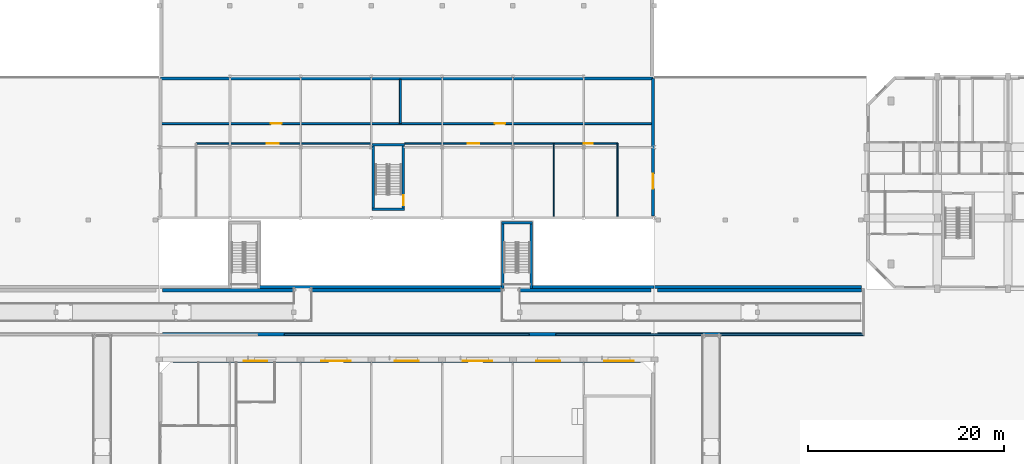
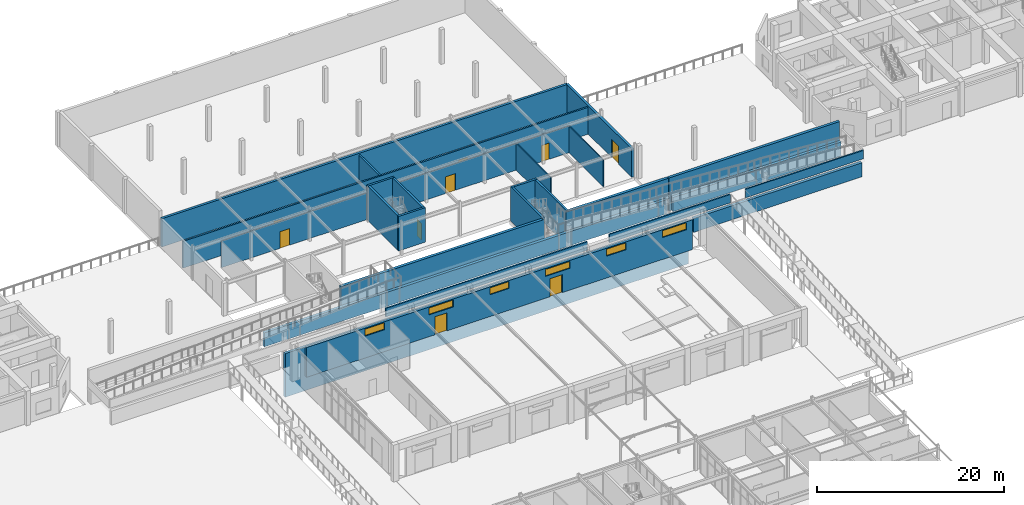
# One storey, part 63 of 85: 26 walls, 9 doors, 6 windows, 15 openings.
"""IFC4 building model written with IfcOpenShell, lengths in metres."""

from ifc_helpers import new_model, si_unit, direction, frame, frame_2d, origin, place, context, subcontext, project, spatial, rectangle, extrude, material, layer, layer_set, type_object, element, fill, save


model = new_model("IFC4")

# Units and contexts
model_context = context("Model", 3, precision=1e-05, world=origin(), true_north=direction((0.0, 1.0)))
body_context = subcontext(model_context, "Body", "Model", "MODEL_VIEW")
ifc_project = project(units=[si_unit("LENGTHUNIT", "METRE"), si_unit("AREAUNIT", "SQUARE_METRE"), si_unit("VOLUMEUNIT", "CUBIC_METRE"), si_unit("PLANEANGLEUNIT", "RADIAN"), si_unit("MASSUNIT", "GRAM", prefix="KILO")], contexts=[model_context])

# Site, building, storey
site_placement = place(None, origin())
site = spatial("IfcSite", under=ifc_project, at=site_placement, CompositionType="ELEMENT")
building_placement = place(site_placement, origin())
building = spatial("IfcBuilding", under=site, at=building_placement, Name="Ochrevale Crest", CompositionType="ELEMENT")
storey_placement = place(building_placement, origin())
storey = spatial("IfcBuildingStorey", under=building, at=storey_placement, Name="L00", CompositionType="ELEMENT", Elevation=0.0)

# Wall, opening, door
ifc_material_1 = material(Name="Gypsum plasterboard", Category="gypsum")
ifc_layer_1 = layer(ifc_material_1, 0.139892578125)
ifc_layer_set_1 = layer_set([ifc_layer_1], Name="Gypsum plasterboard")
wall_type_1 = type_object("IfcWallType", Name="WL-COR-140", PredefinedType="PARTITIONING", material=ifc_layer_set_1)
wall_1_placement = place(storey_placement, frame((61.35009765625, 86.800048828125, 0.0), z_axis=(0.0, 0.0, 1.0), x_axis=(1.0, 0.0, 0.0)))
wall_1 = element("IfcWall", 1, at=wall_1_placement, inside=storey, type_object=wall_type_1, Name="Music suite corridor wall", PredefinedType="PARTITIONING", context=body_context, shape_type="SweptSolid", body=[
    extrude(rectangle(XDim=17.89990234375, YDim=0.139892578125, at=frame_2d((8.949951171875, 0.0))), origin(), (0.0, 0.0, 1.0), 3.5),
])
opening_1_placement = place(wall_1_placement, frame((8.39990234375, 0.0, 0.0), z_axis=(0.0, 0.0, 1.0), x_axis=(-1.0, 0.0, 0.0)))
opening_1 = element("IfcOpeningElement", 2, at=opening_1_placement, cuts=wall_1, Name="Opening ID09", PredefinedType="OPENING", context=body_context, shape_type="SweptSolid", body=[
    extrude(rectangle(XDim=1.199951171875, YDim=2.179931640625, at=frame_2d((0.60009765625, 1.08984375))), frame((0.0, 0.080078125, 0.0), z_axis=(0.0, -1.0, 0.0), x_axis=(1.0, 0.0, 0.0)), (0.0, 0.0, 1.0), 0.159912109375),
])
ifc_material_2 = material(Name="Solid-core FSC hardwood", Category="wood")
door_type_1 = type_object("IfcDoorType", Name="DR-INT-1200", OperationType="NOTDEFINED", PredefinedType="DOOR", material=ifc_material_2)
door_1_placement = place(opening_1_placement, origin())
door_1 = element("IfcDoor", 3, at=door_1_placement, inside=storey, type_object=door_type_1, Name="Music Practice Suite door", OperationType="SINGLE_SWING_RIGHT", OverallHeight=2.179931640625, OverallWidth=1.199951171875, PredefinedType="DOOR", context=body_context, shape_type="SweptSolid", body=[
    extrude(rectangle(XDim=1.199951171875, YDim=2.179931640625, at=frame_2d((0.60009765625, 1.08984375))), frame((0.0, 0.02490234375, 0.0), z_axis=(0.0, -1.0, 0.0), x_axis=(1.0, 0.0, 0.0)), (0.0, 0.0, 1.0), 0.050048828125),
])
fill(opening_1, door_1)

# Wall, openings, doors
wall_2_placement = place(storey_placement, frame((82.60009765625, 86.800048828125, 0.0), z_axis=(0.0, 0.0, 1.0), x_axis=(1.0, 0.0, 0.0)))
wall_2 = element("IfcWall", 4, at=wall_2_placement, inside=storey, type_object=wall_type_1, Name="Toy library corridor wall", PredefinedType="PARTITIONING", context=body_context, shape_type="SweptSolid", body=[
    extrude(rectangle(XDim=21.64990234375, YDim=0.139892578125, at=frame_2d((10.824951171875, 0.0))), origin(), (0.0, 0.0, 1.0), 3.5),
])
opening_2_placement = place(wall_2_placement, frame((6.39990234375, 0.0, 0.0)))
opening_2 = element("IfcOpeningElement", 5, at=opening_2_placement, cuts=wall_2, Name="Opening ID09", PredefinedType="OPENING", context=body_context, shape_type="SweptSolid", body=[
    extrude(rectangle(XDim=1.199951171875, YDim=2.179931640625, at=frame_2d((0.60009765625, 1.08984375))), frame((0.0, 0.080078125, 0.0), z_axis=(0.0, -1.0, 0.0), x_axis=(1.0, 0.0, 0.0)), (0.0, 0.0, 1.0), 0.159912109375),
])
opening_3_placement = place(wall_2_placement, frame((19.14990234375, 0.0, 0.0), z_axis=(0.0, 0.0, 1.0), x_axis=(-1.0, 0.0, 0.0)))
opening_3 = element("IfcOpeningElement", 6, at=opening_3_placement, cuts=wall_2, Name="Opening ID05", PredefinedType="OPENING", context=body_context, shape_type="SweptSolid", body=[
    extrude(rectangle(XDim=0.949951171875, YDim=2.1201171875, at=frame_2d((0.47509765625, 1.06005859375))), frame((0.0, 0.080078125, 0.0), z_axis=(0.0, -1.0, 0.0), x_axis=(1.0, 0.0, 0.0)), (0.0, 0.0, 1.0), 0.159912109375),
])
door_2_placement = place(opening_2_placement, origin())
door_2 = element("IfcDoor", 7, at=door_2_placement, inside=storey, type_object=door_type_1, Name="Toy Library door", OperationType="SINGLE_SWING_LEFT", OverallHeight=2.179931640625, OverallWidth=1.199951171875, PredefinedType="DOOR", context=body_context, shape_type="SweptSolid", body=[
    extrude(rectangle(XDim=1.199951171875, YDim=2.179931640625, at=frame_2d((0.60009765625, 1.08984375))), frame((0.0, 0.02490234375, 0.0), z_axis=(0.0, -1.0, 0.0), x_axis=(1.0, 0.0, 0.0)), (0.0, 0.0, 1.0), 0.050048828125),
])
fill(opening_2, door_2)
door_type_2 = type_object("IfcDoorType", Name="DR-WC-950", OperationType="NOTDEFINED", PredefinedType="DOOR", material=ifc_material_2)
door_3_placement = place(opening_3_placement, origin())
door_3 = element("IfcDoor", 8, at=door_3_placement, inside=storey, type_object=door_type_2, Name="Lower Studios Accessible WC door", OperationType="SINGLE_SWING_RIGHT", OverallHeight=2.1201171875, OverallWidth=0.949951171875, PredefinedType="DOOR", context=body_context, shape_type="SweptSolid", body=[
    extrude(rectangle(XDim=0.949951171875, YDim=2.1201171875, at=frame_2d((0.47509765625, 1.06005859375))), frame((0.0, 0.02490234375, 0.0), z_axis=(0.0, -1.0, 0.0), x_axis=(1.0, 0.0, 0.0)), (0.0, 0.0, 1.0), 0.050048828125),
])
fill(opening_3, door_3)

# Walls
ifc_material_3 = material(Name="Precast concrete C50/60", Category="concrete")
ifc_layer_2 = layer(ifc_material_3, 0.2548828125)
ifc_layer_set_2 = layer_set([ifc_layer_2], Name="Precast concrete C50/60")
wall_type_2 = type_object("IfcWallType", Name="WL-CORE-255", PredefinedType="SHEAR", material=ifc_layer_set_2)
wall_3_placement = place(storey_placement, frame((92.445068359375, 78.7275390625, 0.0), z_axis=(0.0, 0.0, 1.0), x_axis=(1.0, 0.0, 0.0)))
element("IfcWall", 9, at=wall_3_placement, inside=storey, type_object=wall_type_2, Name="ST-CE1 courtyard stair cheek wall N", PredefinedType="SHEAR", context=body_context, shape_type="SweptSolid", body=[
    extrude(rectangle(XDim=3.159912109375, YDim=0.2548828125, at=frame_2d((1.580078125, 0.0))), origin(), (0.0, 0.0, 1.0), 4.5),
])
for number, where, z_axis, x_axis, name in (
    (10, (92.572509765625, 72.0, 0.0), (0.0, 0.0, 1.0), (0.0, 1.0, 0.0), "ST-CE1 courtyard stair cheek wall W"),
    (11, (95.4775390625, 72.0, 0.0), (0.0, 0.0, 1.0), (0.0, 1.0, 0.0), "ST-CE1 courtyard stair cheek wall E"),
):
    element("IfcWall", number, at=place(storey_placement, frame(where, z_axis=z_axis, x_axis=x_axis)), inside=storey, type_object=wall_type_2, Name=name, PredefinedType="SHEAR", context=body_context, shape_type="SweptSolid", body=[
        extrude(rectangle(XDim=6.85498046875, YDim=0.2548828125, at=frame_2d((3.427490234375, 0.0))), origin(), (0.0, 0.0, 1.0), 4.5),
    ])
for number, where, z_axis, x_axis, name in (
    (12, (79.2724609375, 80.10009765625, 0.0), (0.0, 0.0, 1.0), (1.0, 0.0, 0.0), "Nursery stair core wall L00-S"),
    (13, (79.2724609375, 86.64990234375, 0.0), (0.0, 0.0, 1.0), (1.0, 0.0, 0.0), "Nursery stair core wall L00-N"),
):
    element("IfcWall", number, at=place(storey_placement, frame(where, z_axis=z_axis, x_axis=x_axis)), inside=storey, type_object=wall_type_2, Name=name, PredefinedType="SHEAR", context=body_context, shape_type="SweptSolid", body=[
        extrude(rectangle(XDim=3.304931640625, YDim=0.2548828125, at=frame_2d((1.65234375, 0.0))), origin(), (0.0, 0.0, 1.0), 4.5),
    ])
wall_4_placement = place(storey_placement, frame((79.39990234375, 80.2275390625, 0.0), z_axis=(0.0, 0.0, 1.0), x_axis=(0.0, 1.0, 0.0)))
element("IfcWall", 14, at=wall_4_placement, inside=storey, type_object=wall_type_2, Name="Nursery stair core wall L00-W", PredefinedType="SHEAR", context=body_context, shape_type="SweptSolid", body=[
    extrude(rectangle(XDim=6.294921875, YDim=0.2548828125, at=frame_2d((3.1474609375, 0.0))), origin(), (0.0, 0.0, 1.0), 4.5),
])

# Wall, opening, door
wall_5_placement = place(storey_placement, frame((82.449951171875, 80.2275390625, 0.0), z_axis=(0.0, 0.0, 1.0), x_axis=(0.0, 1.0, 0.0)))
wall_5 = element("IfcWall", 15, at=wall_5_placement, inside=storey, type_object=wall_type_2, Name="Nursery stair core wall L00-E", PredefinedType="SHEAR", context=body_context, shape_type="SweptSolid", body=[
    extrude(rectangle(XDim=6.294921875, YDim=0.2548828125, at=frame_2d((3.1474609375, 0.0))), origin(), (0.0, 0.0, 1.0), 4.5),
])
opening_4_placement = place(wall_5_placement, frame((1.300048828125, 0.0, 0.0), z_axis=(0.0, 0.0, 1.0), x_axis=(-1.0, 0.0, 0.0)))
opening_4 = element("IfcOpeningElement", 16, at=opening_4_placement, cuts=wall_5, Name="Opening FD03", PredefinedType="OPENING", context=body_context, shape_type="SweptSolid", body=[
    extrude(rectangle(XDim=1.050048828125, YDim=2.1201171875, at=frame_2d((0.52490234375, 1.06005859375))), frame((0.0, 0.137451171875, 0.0), z_axis=(0.0, -1.0, 0.0), x_axis=(1.0, 0.0, 0.0)), (0.0, 0.0, 1.0), 0.27490234375),
])
door_type_3 = type_object("IfcDoorType", Name="DR-ST-1050", OperationType="NOTDEFINED", PredefinedType="DOOR", material=ifc_material_2)
door_4_placement = place(opening_4_placement, origin())
door_4 = element("IfcDoor", 17, at=door_4_placement, inside=storey, type_object=door_type_3, Name="Nursery stair ST-N1 L00 door", OperationType="SINGLE_SWING_RIGHT", OverallHeight=2.1201171875, OverallWidth=1.050048828125, PredefinedType="DOOR", context=body_context, shape_type="SweptSolid", body=[
    extrude(rectangle(XDim=1.050048828125, YDim=2.1201171875, at=frame_2d((0.52490234375, 1.06005859375))), frame((0.0, 0.02490234375, 0.0), z_axis=(0.0, -1.0, 0.0), x_axis=(1.0, 0.0, 0.0)), (0.0, 0.0, 1.0), 0.050048828125),
])
fill(opening_4, door_4)

# Wall, openings, doors, windows
ifc_material_4 = material(Name="Clay face brickwork", Category="masonry")
ifc_layer_3 = layer(ifc_material_4, 0.2900390625)
ifc_layer_set_3 = layer_set([ifc_layer_3], Name="Clay face brickwork")
wall_type_3 = type_object("IfcWallType", Name="WL-EXT-BRICK-290", PredefinedType="SOLIDWALL", material=ifc_layer_set_3)
wall_6_placement = place(storey_placement, frame((59.0, 64.64990234375, 0.0), z_axis=(0.0, 0.0, 1.0), x_axis=(1.0, 0.0, 0.0)))
wall_6 = element("IfcWall", 18, at=wall_6_placement, inside=storey, type_object=wall_type_3, Name="Community Hall north ochre brick colonnade wall", PredefinedType="SOLIDWALL", context=body_context, shape_type="SweptSolid", body=[
    extrude(rectangle(XDim=47.60009765625, YDim=0.2900390625, at=frame_2d((23.800048828125, 0.0))), origin(), (0.0, 0.0, 1.0), 3.8798828125),
])
opening_5_placement = place(wall_6_placement, frame((15.85009765625, 0.0, 0.0)))
opening_5 = element("IfcOpeningElement", 19, at=opening_5_placement, cuts=wall_6, Name="Opening ED04", PredefinedType="OPENING", context=body_context, shape_type="SweptSolid", body=[
    extrude(rectangle(XDim=1.5, YDim=2.35009765625, at=frame_2d((0.75, 1.175048828125))), frame((0.0, 0.155029296875, 0.0), z_axis=(0.0, -1.0, 0.0), x_axis=(1.0, 0.0, 0.0)), (0.0, 0.0, 1.0), 0.31005859375),
])
opening_6_placement = place(wall_6_placement, frame((30.050048828125, 0.0, 0.0)))
opening_6 = element("IfcOpeningElement", 20, at=opening_6_placement, cuts=wall_6, Name="Opening ED04", PredefinedType="OPENING", context=body_context, shape_type="SweptSolid", body=[
    extrude(rectangle(XDim=1.5, YDim=2.35009765625, at=frame_2d((0.75, 1.175048828125))), frame((0.0, 0.155029296875, 0.0), z_axis=(0.0, -1.0, 0.0), x_axis=(1.0, 0.0, 0.0)), (0.0, 0.0, 1.0), 0.31005859375),
])
opening_7_placement = place(wall_6_placement, frame((7.2099609375, 0.0, 2.85009765625)))
opening_7 = element("IfcOpeningElement", 21, at=opening_7_placement, cuts=wall_6, Name="Opening W28", PredefinedType="OPENING", context=body_context, shape_type="SweptSolid", body=[
    extrude(rectangle(XDim=2.39990234375, YDim=0.89990234375, at=frame_2d((1.199951171875, 0.449951171875))), frame((0.0, 0.155029296875, 0.0), z_axis=(0.0, -1.0, 0.0), x_axis=(1.0, 0.0, 0.0)), (0.0, 0.0, 1.0), 0.31005859375),
])
opening_8_placement = place(wall_6_placement, frame((15.10009765625, 0.0, 2.85009765625)))
opening_8 = element("IfcOpeningElement", 22, at=opening_8_placement, cuts=wall_6, Name="Opening W29", PredefinedType="OPENING", context=body_context, shape_type="SweptSolid", body=[
    extrude(rectangle(XDim=3.0, YDim=0.89990234375, at=frame_2d((1.5, 0.449951171875))), frame((0.0, 0.155029296875, 0.0), z_axis=(0.0, -1.0, 0.0), x_axis=(1.0, 0.0, 0.0)), (0.0, 0.0, 1.0), 0.31005859375),
])
opening_9_placement = place(wall_6_placement, frame((22.60009765625, 0.0, 2.85009765625)))
opening_9 = element("IfcOpeningElement", 23, at=opening_9_placement, cuts=wall_6, Name="Opening W28", PredefinedType="OPENING", context=body_context, shape_type="SweptSolid", body=[
    extrude(rectangle(XDim=2.39990234375, YDim=0.89990234375, at=frame_2d((1.199951171875, 0.449951171875))), frame((0.0, 0.155029296875, 0.0), z_axis=(0.0, -1.0, 0.0), x_axis=(1.0, 0.0, 0.0)), (0.0, 0.0, 1.0), 0.31005859375),
])
opening_10_placement = place(wall_6_placement, frame((29.5, 0.0, 2.85009765625)))
opening_10 = element("IfcOpeningElement", 24, at=opening_10_placement, cuts=wall_6, Name="Opening W29", PredefinedType="OPENING", context=body_context, shape_type="SweptSolid", body=[
    extrude(rectangle(XDim=3.0, YDim=0.89990234375, at=frame_2d((1.5, 0.449951171875))), frame((0.0, 0.155029296875, 0.0), z_axis=(0.0, -1.0, 0.0), x_axis=(1.0, 0.0, 0.0)), (0.0, 0.0, 1.0), 0.31005859375),
])
opening_11_placement = place(wall_6_placement, frame((37.0, 0.0, 2.85009765625)))
opening_11 = element("IfcOpeningElement", 25, at=opening_11_placement, cuts=wall_6, Name="Opening W28", PredefinedType="OPENING", context=body_context, shape_type="SweptSolid", body=[
    extrude(rectangle(XDim=2.39990234375, YDim=0.89990234375, at=frame_2d((1.199951171875, 0.449951171875))), frame((0.0, 0.155029296875, 0.0), z_axis=(0.0, -1.0, 0.0), x_axis=(1.0, 0.0, 0.0)), (0.0, 0.0, 1.0), 0.31005859375),
])
opening_12_placement = place(wall_6_placement, frame((43.89990234375, 0.0, 2.85009765625)))
opening_12 = element("IfcOpeningElement", 26, at=opening_12_placement, cuts=wall_6, Name="Opening W29", PredefinedType="OPENING", context=body_context, shape_type="SweptSolid", body=[
    extrude(rectangle(XDim=3.0, YDim=0.89990234375, at=frame_2d((1.5, 0.449951171875))), frame((0.0, 0.155029296875, 0.0), z_axis=(0.0, -1.0, 0.0), x_axis=(1.0, 0.0, 0.0)), (0.0, 0.0, 1.0), 0.31005859375),
])
ifc_material_5 = material(Name="Anodised aluminium 6063-T5 and toughened glass", Category="aluminium")
door_type_4 = type_object("IfcDoorType", Name="DR-EXT-1500", OperationType="NOTDEFINED", PredefinedType="DOOR", material=ifc_material_5)
door_5_placement = place(opening_5_placement, origin())
door_5 = element("IfcDoor", 27, at=door_5_placement, inside=storey, type_object=door_type_4, Name="Community Hall north courtyard exit door 1", OperationType="DOUBLE_DOOR_SINGLE_SWING", OverallHeight=2.35009765625, OverallWidth=1.5, PredefinedType="DOOR", context=body_context, shape_type="SweptSolid", body=[
    extrude(rectangle(XDim=1.5, YDim=2.35009765625, at=frame_2d((0.75, 1.175048828125))), frame((0.0, 0.02490234375, 0.0), z_axis=(0.0, -1.0, 0.0), x_axis=(1.0, 0.0, 0.0)), (0.0, 0.0, 1.0), 0.050048828125),
])
fill(opening_5, door_5)
door_6_placement = place(opening_6_placement, origin())
door_6 = element("IfcDoor", 28, at=door_6_placement, inside=storey, type_object=door_type_4, Name="Community Hall north courtyard exit door 2", OperationType="DOUBLE_DOOR_SINGLE_SWING", OverallHeight=2.35009765625, OverallWidth=1.5, PredefinedType="DOOR", context=body_context, shape_type="SweptSolid", body=[
    extrude(rectangle(XDim=1.5, YDim=2.35009765625, at=frame_2d((0.75, 1.175048828125))), frame((0.0, 0.02490234375, 0.0), z_axis=(0.0, -1.0, 0.0), x_axis=(1.0, 0.0, 0.0)), (0.0, 0.0, 1.0), 0.050048828125),
])
fill(opening_6, door_6)
ifc_material_6 = material(Name="Anodised aluminium 6063-T5 and low-E double glazing", Category="aluminium")
window_type_1 = type_object("IfcWindowType", Name="WIN-W28", PartitioningType="SINGLE_PANEL", PredefinedType="WINDOW", material=ifc_material_6)
window_1_placement = place(opening_7_placement, origin())
window_1 = element("IfcWindow", 29, at=window_1_placement, inside=storey, type_object=window_type_1, Name="Community Hall N springing clerestory window 2", OverallHeight=0.89990234375, OverallWidth=2.39990234375, PartitioningType="SINGLE_PANEL", PredefinedType="WINDOW", context=body_context, shape_type="SweptSolid", body=[
    extrude(rectangle(XDim=2.39990234375, YDim=0.89990234375, at=frame_2d((1.199951171875, 0.449951171875))), frame((0.0, 0.030029296875, 0.0), z_axis=(0.0, -1.0, 0.0), x_axis=(1.0, 0.0, 0.0)), (0.0, 0.0, 1.0), 0.06005859375),
])
fill(opening_7, window_1)
window_2_placement = place(opening_9_placement, origin())
window_2 = element("IfcWindow", 30, at=window_2_placement, inside=storey, type_object=window_type_1, Name="Community Hall N springing clerestory window 4", OverallHeight=0.89990234375, OverallWidth=2.39990234375, PartitioningType="SINGLE_PANEL", PredefinedType="WINDOW", context=body_context, shape_type="SweptSolid", body=[
    extrude(rectangle(XDim=2.39990234375, YDim=0.89990234375, at=frame_2d((1.199951171875, 0.449951171875))), frame((0.0, 0.030029296875, 0.0), z_axis=(0.0, -1.0, 0.0), x_axis=(1.0, 0.0, 0.0)), (0.0, 0.0, 1.0), 0.06005859375),
])
fill(opening_9, window_2)
window_3_placement = place(opening_11_placement, origin())
window_3 = element("IfcWindow", 31, at=window_3_placement, inside=storey, type_object=window_type_1, Name="Community Hall N springing clerestory window 6", OverallHeight=0.89990234375, OverallWidth=2.39990234375, PartitioningType="SINGLE_PANEL", PredefinedType="WINDOW", context=body_context, shape_type="SweptSolid", body=[
    extrude(rectangle(XDim=2.39990234375, YDim=0.89990234375, at=frame_2d((1.199951171875, 0.449951171875))), frame((0.0, 0.030029296875, 0.0), z_axis=(0.0, -1.0, 0.0), x_axis=(1.0, 0.0, 0.0)), (0.0, 0.0, 1.0), 0.06005859375),
])
fill(opening_11, window_3)
window_type_2 = type_object("IfcWindowType", Name="WIN-W29", PartitioningType="SINGLE_PANEL", PredefinedType="WINDOW", material=ifc_material_6)
window_4_placement = place(opening_8_placement, origin())
window_4 = element("IfcWindow", 32, at=window_4_placement, inside=storey, type_object=window_type_2, Name="Community Hall N springing clerestory window 3", OverallHeight=0.89990234375, OverallWidth=3.0, PartitioningType="SINGLE_PANEL", PredefinedType="WINDOW", context=body_context, shape_type="SweptSolid", body=[
    extrude(rectangle(XDim=3.0, YDim=0.89990234375, at=frame_2d((1.5, 0.449951171875))), frame((0.0, 0.030029296875, 0.0), z_axis=(0.0, -1.0, 0.0), x_axis=(1.0, 0.0, 0.0)), (0.0, 0.0, 1.0), 0.06005859375),
])
fill(opening_8, window_4)
window_5_placement = place(opening_10_placement, origin())
window_5 = element("IfcWindow", 33, at=window_5_placement, inside=storey, type_object=window_type_2, Name="Community Hall N springing clerestory window 5", OverallHeight=0.89990234375, OverallWidth=3.0, PartitioningType="SINGLE_PANEL", PredefinedType="WINDOW", context=body_context, shape_type="SweptSolid", body=[
    extrude(rectangle(XDim=3.0, YDim=0.89990234375, at=frame_2d((1.5, 0.449951171875))), frame((0.0, 0.030029296875, 0.0), z_axis=(0.0, -1.0, 0.0), x_axis=(1.0, 0.0, 0.0)), (0.0, 0.0, 1.0), 0.06005859375),
])
fill(opening_10, window_5)
window_6_placement = place(opening_12_placement, origin())
window_6 = element("IfcWindow", 34, at=window_6_placement, inside=storey, type_object=window_type_2, Name="Community Hall N springing clerestory window 7", OverallHeight=0.89990234375, OverallWidth=3.0, PartitioningType="SINGLE_PANEL", PredefinedType="WINDOW", context=body_context, shape_type="SweptSolid", body=[
    extrude(rectangle(XDim=3.0, YDim=0.89990234375, at=frame_2d((1.5, 0.449951171875))), frame((0.0, 0.030029296875, 0.0), z_axis=(0.0, -1.0, 0.0), x_axis=(1.0, 0.0, 0.0)), (0.0, 0.0, 1.0), 0.06005859375),
])
fill(opening_12, window_6)

# Wall
wall_7_placement = place(storey_placement, frame((57.75, 93.39990234375, 0.0), z_axis=(0.0, 0.0, 1.0), x_axis=(1.0, 0.0, 0.0)))
element("IfcWall", 35, at=wall_7_placement, inside=storey, type_object=wall_type_3, Name="Nursery undercroft north brick wall", PredefinedType="SOLIDWALL", context=body_context, shape_type="SweptSolid", body=[
    extrude(rectangle(XDim=50.10009765625, YDim=0.2900390625, at=frame_2d((25.050048828125, 0.0))), origin(), (0.0, 0.0, 1.0), 3.701171875),
])

# Wall, opening, door
wall_8_placement = place(storey_placement, frame((107.85009765625, 79.39990234375, 0.0), z_axis=(0.0, 0.0, 1.0), x_axis=(0.0, 1.0, 0.0)))
wall_8 = element("IfcWall", 36, at=wall_8_placement, inside=storey, type_object=wall_type_3, Name="Nursery undercroft E brick wall", PredefinedType="SOLIDWALL", context=body_context, shape_type="SweptSolid", body=[
    extrude(rectangle(XDim=14.0, YDim=0.2900390625, at=frame_2d((7.0, 0.0))), origin(), (0.0, 0.0, 1.0), 3.701171875),
])
opening_13_placement = place(wall_8_placement, frame((4.300048828125, 0.0, 0.0), z_axis=(0.0, 0.0, 1.0), x_axis=(-1.0, 0.0, 0.0)))
opening_13 = element("IfcOpeningElement", 37, at=opening_13_placement, cuts=wall_8, Name="Opening ED04", PredefinedType="OPENING", context=body_context, shape_type="SweptSolid", body=[
    extrude(rectangle(XDim=1.5, YDim=2.35009765625, at=frame_2d((0.75, 1.175048828125))), frame((0.0, 0.155029296875, 0.0), z_axis=(0.0, -1.0, 0.0), x_axis=(1.0, 0.0, 0.0)), (0.0, 0.0, 1.0), 0.31005859375),
])
door_7_placement = place(opening_13_placement, origin())
door_7 = element("IfcDoor", 38, at=door_7_placement, inside=storey, type_object=door_type_4, Name="Lower courtyard studios E exit door", OperationType="DOUBLE_DOOR_SINGLE_SWING", OverallHeight=2.35009765625, OverallWidth=1.5, PredefinedType="DOOR", context=body_context, shape_type="SweptSolid", body=[
    extrude(rectangle(XDim=1.5, YDim=2.35009765625, at=frame_2d((0.75, 1.175048828125))), frame((0.0, 0.02490234375, 0.0), z_axis=(0.0, -1.0, 0.0), x_axis=(1.0, 0.0, 0.0)), (0.0, 0.0, 1.0), 0.050048828125),
])
fill(opening_13, door_7)

# Walls
ifc_layer_4 = layer(ifc_material_4, 0.179931640625)
ifc_layer_set_4 = layer_set([ifc_layer_4], Name="Clay face brickwork")
wall_type_4 = type_object("IfcWallType", Name="WL-PARAPET-180", PredefinedType="PARAPET", material=ifc_layer_set_4)
wall_9_placement = place(storey_placement, frame((70.35009765625, 67.320068359375, 2.25), z_axis=(0.0, 0.0, 1.0), x_axis=(1.0, 0.0, 0.0)))
element("IfcWall", 39, at=wall_9_placement, inside=storey, type_object=wall_type_4, Name="Hillside Step 2 amphitheatre parapet 3", PredefinedType="PARAPET", context=body_context, shape_type="SweptSolid", body=[
    extrude(rectangle(XDim=24.89990234375, YDim=0.179931640625, at=frame_2d((12.449951171875, 0.0))), origin(), (0.0, 0.0, 1.0), 1.10009765625),
])
wall_10_placement = place(storey_placement, frame((97.949951171875, 67.320068359375, 2.25), z_axis=(0.0, 0.0, 1.0), x_axis=(1.0, 0.0, 0.0)))
element("IfcWall", 40, at=wall_10_placement, inside=storey, type_object=wall_type_4, Name="Hillside Step 2 amphitheatre parapet 4", PredefinedType="PARAPET", context=body_context, shape_type="SweptSolid", body=[
    extrude(rectangle(XDim=14.900146484375, YDim=0.179931640625, at=frame_2d((7.4501953125, 0.0))), origin(), (0.0, 0.0, 1.0), 1.10009765625),
])
wall_11_placement = place(storey_placement, frame((114.75, 67.320068359375, 2.25), z_axis=(0.0, 0.0, 1.0), x_axis=(1.0, 0.0, 0.0)))
element("IfcWall", 41, at=wall_11_placement, inside=storey, type_object=wall_type_4, Name="Hillside Step 2 amphitheatre parapet 5", PredefinedType="PARAPET", context=body_context, shape_type="SweptSolid", body=[
    extrude(rectangle(XDim=14.530029296875, YDim=0.179931640625, at=frame_2d((7.26513671875, 0.0))), origin(), (0.0, 0.0, 1.0), 1.10009765625),
])
ifc_layer_5 = layer(ifc_material_1, 0.1201171875)
ifc_layer_set_5 = layer_set([ifc_layer_5], Name="Gypsum plasterboard")
wall_type_5 = type_object("IfcWallType", Name="WL-PART-120", PredefinedType="PARTITIONING", material=ifc_layer_set_5)
for number, where, z_axis, x_axis, name in (
    (42, (97.75, 79.39990234375, 0.0), (0.0, 0.0, 1.0), (0.0, 1.0, 0.0), "Lower studio divider"),
    (43, (104.25, 79.39990234375, 0.0), (0.0, 0.0, 1.0), (0.0, 1.0, 0.0), "Lower studio divider"),
):
    element("IfcWall", number, at=place(storey_placement, frame(where, z_axis=z_axis, x_axis=x_axis)), inside=storey, type_object=wall_type_5, Name=name, PredefinedType="PARTITIONING", context=body_context, shape_type="SweptSolid", body=[
        extrude(rectangle(XDim=7.400146484375, YDim=0.1201171875, at=frame_2d((3.7001953125, 0.0))), origin(), (0.0, 0.0, 1.0), 3.5),
    ])

# Wall, openings, doors
ifc_material_7 = material(Name="Core-filled masonry blockwork", Category="masonry")
ifc_layer_6 = layer(ifc_material_7, 0.195068359375)
ifc_layer_set_6 = layer_set([ifc_layer_6], Name="Core-filled masonry blockwork")
wall_type_6 = type_object("IfcWallType", Name="WL-PLNT-195", PredefinedType="PARTITIONING", material=ifc_layer_set_6)
wall_12_placement = place(storey_placement, frame((57.739990234375, 88.800048828125, 0.0), z_axis=(0.0, 0.0, 1.0), x_axis=(1.0, 0.0, 0.0)))
wall_12 = element("IfcWall", 44, at=wall_12_placement, inside=storey, type_object=wall_type_6, Name="Undercroft plant wall", PredefinedType="PARTITIONING", context=body_context, shape_type="SweptSolid", body=[
    extrude(rectangle(XDim=50.1201171875, YDim=0.195068359375, at=frame_2d((25.06005859375, 0.0))), origin(), (0.0, 0.0, 1.0), 3.5),
])
opening_14_placement = place(wall_12_placement, frame((11.199951171875, 0.0, 0.0)))
opening_14 = element("IfcOpeningElement", 45, at=opening_14_placement, cuts=wall_12, Name="Opening FD04", PredefinedType="OPENING", context=body_context, shape_type="SweptSolid", body=[
    extrude(rectangle(XDim=1.1201171875, YDim=2.14990234375, at=frame_2d((0.56005859375, 1.074951171875))), frame((0.0, 0.107421875, 0.0), z_axis=(0.0, -1.0, 0.0), x_axis=(1.0, 0.0, 0.0)), (0.0, 0.0, 1.0), 0.215087890625),
])
opening_15_placement = place(wall_12_placement, frame((35.10009765625, 0.0, 0.0), z_axis=(0.0, 0.0, 1.0), x_axis=(-1.0, 0.0, 0.0)))
opening_15 = element("IfcOpeningElement", 46, at=opening_15_placement, cuts=wall_12, Name="Opening ID08", PredefinedType="OPENING", context=body_context, shape_type="SweptSolid", body=[
    extrude(rectangle(XDim=1.10009765625, YDim=2.14990234375, at=frame_2d((0.550048828125, 1.074951171875))), frame((0.0, 0.107421875, 0.0), z_axis=(0.0, -1.0, 0.0), x_axis=(1.0, 0.0, 0.0)), (0.0, 0.0, 1.0), 0.215087890625),
])
door_type_5 = type_object("IfcDoorType", Name="DR-FD-1100", OperationType="NOTDEFINED", PredefinedType="DOOR", material=ifc_material_2)
door_8_placement = place(opening_14_placement, origin())
door_8 = element("IfcDoor", 47, at=door_8_placement, inside=storey, type_object=door_type_5, Name="Filtration plant door", OperationType="SINGLE_SWING_LEFT", OverallHeight=2.14990234375, OverallWidth=1.1201171875, PredefinedType="DOOR", context=body_context, shape_type="SweptSolid", body=[
    extrude(rectangle(XDim=1.1201171875, YDim=2.14990234375, at=frame_2d((0.56005859375, 1.074951171875))), frame((0.0, 0.02490234375, 0.0), z_axis=(0.0, -1.0, 0.0), x_axis=(1.0, 0.0, 0.0)), (0.0, 0.0, 1.0), 0.050048828125),
])
fill(opening_14, door_8)
door_type_6 = type_object("IfcDoorType", Name="DR-INT-1100", OperationType="NOTDEFINED", PredefinedType="DOOR", material=ifc_material_2)
door_9_placement = place(opening_15_placement, origin())
door_9 = element("IfcDoor", 48, at=door_9_placement, inside=storey, type_object=door_type_6, Name="Landscape store door", OperationType="SINGLE_SWING_RIGHT", OverallHeight=2.14990234375, OverallWidth=1.10009765625, PredefinedType="DOOR", context=body_context, shape_type="SweptSolid", body=[
    extrude(rectangle(XDim=1.10009765625, YDim=2.14990234375, at=frame_2d((0.550048828125, 1.074951171875))), frame((0.0, 0.02490234375, 0.0), z_axis=(0.0, -1.0, 0.0), x_axis=(1.0, 0.0, 0.0)), (0.0, 0.0, 1.0), 0.050048828125),
])
fill(opening_15, door_9)

# Walls
wall_13_placement = place(storey_placement, frame((82.14990234375, 88.800048828125, 0.0), z_axis=(0.0, 0.0, 1.0), x_axis=(0.0, 1.0, 0.0)))
element("IfcWall", 49, at=wall_13_placement, inside=storey, type_object=wall_type_6, Name="Undercroft plant divider", PredefinedType="PARTITIONING", context=body_context, shape_type="SweptSolid", body=[
    extrude(rectangle(XDim=4.5, YDim=0.195068359375, at=frame_2d((2.25, 0.0))), origin(), (0.0, 0.0, 1.0), 3.5),
])
ifc_material_8 = material(Name="Concrete C40/50", Category="concrete")
ifc_layer_7 = layer(ifc_material_8, 0.340087890625)
ifc_layer_set_7 = layer_set([ifc_layer_7], Name="Concrete C40/50")
wall_type_7 = type_object("IfcWallType", Name="WL-RET-340", PredefinedType="USERDEFINED", material=ifc_layer_set_7)
wall_14_placement = place(storey_placement, frame((57.925048828125, 67.3701171875, -3.860107421875), z_axis=(0.0, 0.0, 1.0), x_axis=(1.0, 0.0, 0.0)))
element("IfcWall", 50, at=wall_14_placement, inside=storey, type_object=wall_type_7, Name="Hillside Step 2 south retaining wall C", ObjectType="RETAININGWALL", PredefinedType="USERDEFINED", context=body_context, shape_type="SweptSolid", body=[
    extrude(rectangle(XDim=49.75, YDim=0.340087890625, at=frame_2d((24.875, 0.0))), origin(), (0.0, 0.0, 1.0), 5.690185546875),
])
wall_15_placement = place(storey_placement, frame((57.925048828125, 71.830078125, 0.0), z_axis=(0.0, 0.0, 1.0), x_axis=(1.0, 0.0, 0.0)))
element("IfcWall", 51, at=wall_15_placement, inside=storey, type_object=wall_type_7, Name="Hillside Step 2 north retaining wall C", ObjectType="RETAININGWALL", PredefinedType="USERDEFINED", context=body_context, shape_type="SweptSolid", body=[
    extrude(rectangle(XDim=49.75, YDim=0.340087890625, at=frame_2d((24.875, 0.0))), origin(), (0.0, 0.0, 1.0), 1.830078125),
])
for number, where, z_axis, x_axis, name in (
    (52, (108.324951171875, 67.3701171875, 0.0), (0.0, 0.0, 1.0), (1.0, 0.0, 0.0), "Hillside Step 2 south retaining wall E"),
    (53, (108.324951171875, 71.830078125, 0.0), (0.0, 0.0, 1.0), (1.0, 0.0, 0.0), "Hillside Step 2 north retaining wall E"),
):
    element("IfcWall", number, at=place(storey_placement, frame(where, z_axis=z_axis, x_axis=x_axis)), inside=storey, type_object=wall_type_7, Name=name, ObjectType="RETAININGWALL", PredefinedType="USERDEFINED", context=body_context, shape_type="SweptSolid", body=[
        extrude(rectangle(XDim=20.775146484375, YDim=0.340087890625, at=frame_2d((10.3876953125, 0.0))), origin(), (0.0, 0.0, 1.0), 1.830078125),
    ])
wall_16_placement = place(storey_placement, frame((67.60009765625, 72.169921875, 0.0), z_axis=(0.0, 0.0, 1.0), x_axis=(1.0, 0.0, 0.0)))
element("IfcWall", 54, at=wall_16_placement, inside=storey, type_object=wall_type_7, Name="Hillside Step 3 south retaining wall 3", ObjectType="RETAININGWALL", PredefinedType="USERDEFINED", context=body_context, shape_type="SweptSolid", body=[
    extrude(rectangle(XDim=25.099853515625, YDim=0.340087890625, at=frame_2d((12.5498046875, 0.0))), origin(), (0.0, 0.0, 1.0), 4.27490234375),
])
wall_17_placement = place(storey_placement, frame((95.35009765625, 72.169921875, 0.0), z_axis=(0.0, 0.0, 1.0), x_axis=(1.0, 0.0, 0.0)))
element("IfcWall", 55, at=wall_17_placement, inside=storey, type_object=wall_type_7, Name="Hillside Step 3 south retaining wall 4", ObjectType="RETAININGWALL", PredefinedType="USERDEFINED", context=body_context, shape_type="SweptSolid", body=[
    extrude(rectangle(XDim=12.625, YDim=0.340087890625, at=frame_2d((6.3125, 0.0))), origin(), (0.0, 0.0, 1.0), 4.27490234375),
])
wall_18_placement = place(storey_placement, frame((108.02490234375, 72.169921875, 0.0), z_axis=(0.0, 0.0, 1.0), x_axis=(1.0, 0.0, 0.0)))
element("IfcWall", 56, at=wall_18_placement, inside=storey, type_object=wall_type_7, Name="Hillside Step 3 south retaining wall 5", ObjectType="RETAININGWALL", PredefinedType="USERDEFINED", context=body_context, shape_type="SweptSolid", body=[
    extrude(rectangle(XDim=21.0751953125, YDim=0.340087890625, at=frame_2d((10.53759765625, 0.0))), origin(), (0.0, 0.0, 1.0), 4.27490234375),
])

save(model, "model.ifc")
